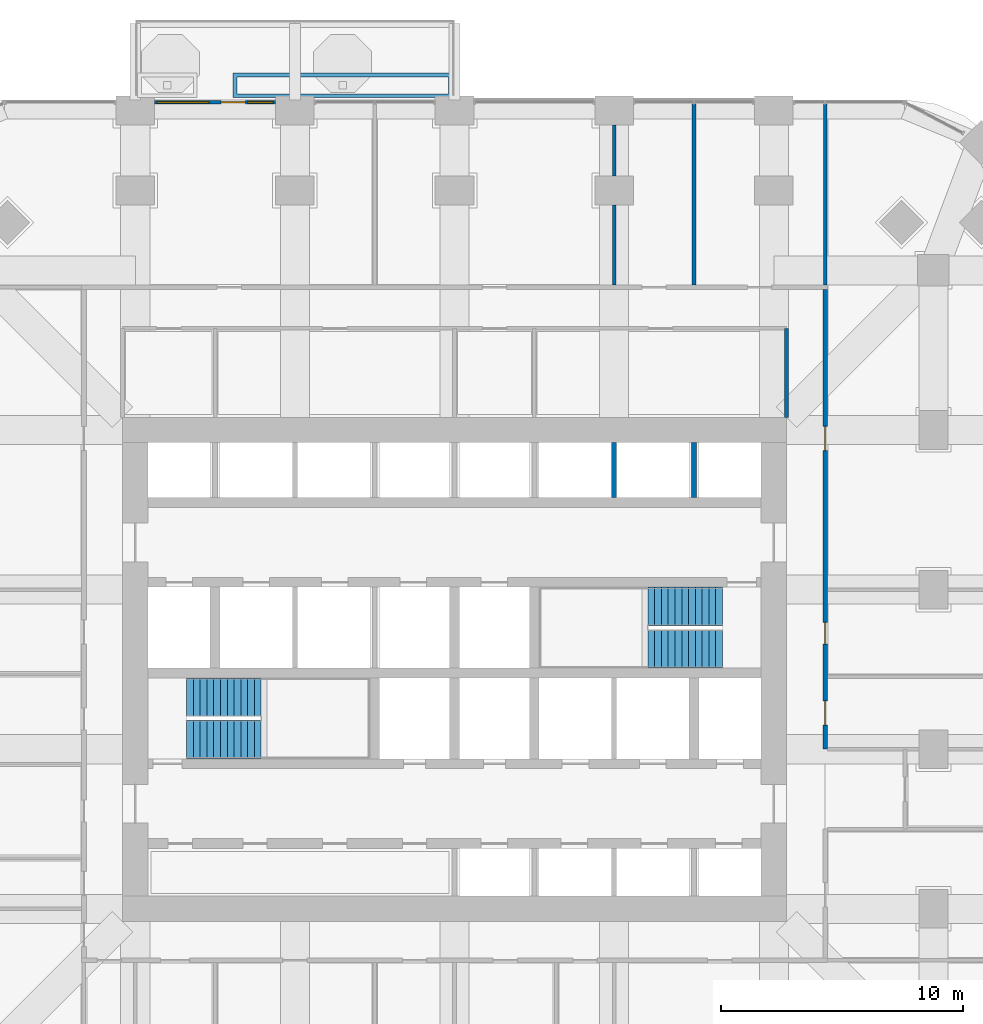
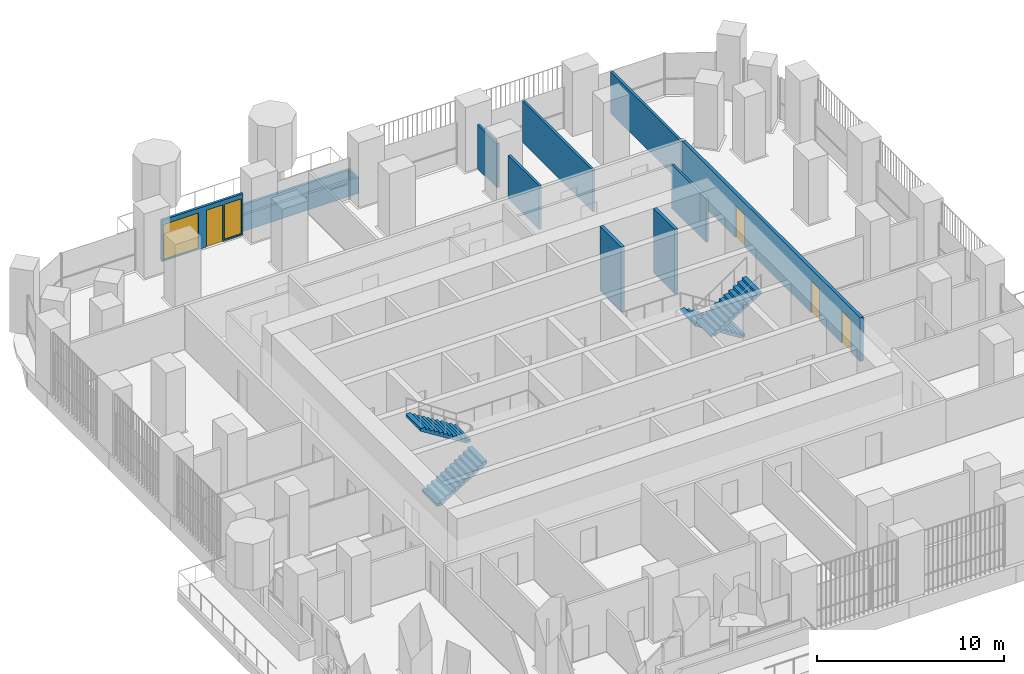
# One storey, part 16 of 21: 10 walls, 4 doors, 4 stair flights, 2 windows, 6 openings, 2 elements without a shape of their own.
"""IFC4 building model written with IfcOpenShell, lengths in metres."""

from ifc_helpers import new_model, si_unit, direction, frame, frame_2d, origin, place, context, subcontext, project, spatial, polyline, rectangle, outline, extrude, material, layer, layer_set, type_object, element, fill, aggregate, save


model = new_model("IFC4")

# Units and contexts
model_context = context("Model", 3, precision=1e-05, world=origin(), true_north=direction((0.0, 1.0)))
body_context = subcontext(model_context, "Body", "Model", "MODEL_VIEW")
ifc_project = project(units=[si_unit("LENGTHUNIT", "METRE"), si_unit("AREAUNIT", "SQUARE_METRE"), si_unit("VOLUMEUNIT", "CUBIC_METRE"), si_unit("PLANEANGLEUNIT", "RADIAN"), si_unit("MASSUNIT", "GRAM", prefix="KILO")], contexts=[model_context])

# Site, building, storey
site_placement = place(None, origin())
site = spatial("IfcSite", under=ifc_project, at=site_placement, CompositionType="ELEMENT")
building_placement = place(site_placement, origin())
building = spatial("IfcBuilding", under=site, at=building_placement, Name="Cobogo Forest Laboratory Tower", CompositionType="ELEMENT")
storey_placement = place(building_placement, frame((0.0, 0.0, 99.0)))
storey = spatial("IfcBuildingStorey", under=building, at=storey_placement, Name="L22", CompositionType="ELEMENT", Elevation=99.0)

# Wall, openings, door, windows
ifc_material_1 = material(Name="Aluminium framed glazed screen", Category="aluminium")
ifc_layer_1 = layer(ifc_material_1, 0.14990234375)
ifc_layer_set_1 = layer_set([ifc_layer_1], Name="GS1 glazed door screen 150")
wall_type_1 = type_object("IfcWallType", Name="GS1 glazed door screen 150", PredefinedType="SOLIDWALL", material=ifc_layer_set_1)
wall_1_placement = place(storey_placement, frame((19.0, 46.550048828125, 0.0), z_axis=(0.0, 0.0, 1.0), x_axis=(-1.0, 0.0, 0.0)))
wall_1 = element("IfcWall", 1, at=wall_1_placement, inside=storey, type_object=wall_type_1, Name="Door screen BAL-N1 L22", PredefinedType="SOLIDWALL", context=body_context, shape_type="SweptSolid", body=[
    extrude(rectangle(XDim=5.0, YDim=0.14990234375, at=frame_2d((2.5, 0.0))), origin(), (0.0, 0.0, 1.0), 2.699951171875),
])
opening_1_placement = place(wall_1_placement, frame((1.25, 0.0, 0.0)))
opening_1 = element("IfcOpeningElement", 2, at=opening_1_placement, cuts=wall_1, Name="Opening L22-D46", PredefinedType="OPENING", context=body_context, shape_type="SweptSolid", body=[
    extrude(rectangle(XDim=1.0, YDim=2.39990234375, at=frame_2d((0.5, 1.199951171875))), frame((0.0, 0.0849609375, 0.0), z_axis=(0.0, -1.0, 0.0), x_axis=(1.0, 0.0, 0.0)), (0.0, 0.0, 1.0), 0.169921875),
])
opening_2_placement = place(wall_1_placement, frame((0.10009765625, 0.0, 0.10009765625)))
opening_2 = element("IfcOpeningElement", 3, at=opening_2_placement, cuts=wall_1, Name="Opening L22-W08", PredefinedType="OPENING", context=body_context, shape_type="SweptSolid", body=[
    extrude(rectangle(XDim=1.050048828125, YDim=2.300048828125, at=frame_2d((0.52490234375, 1.14990234375))), frame((0.0, 0.0849609375, 0.0), z_axis=(0.0, -1.0, 0.0), x_axis=(1.0, 0.0, 0.0)), (0.0, 0.0, 1.0), 0.169921875),
])
opening_3_placement = place(wall_1_placement, frame((2.75, 0.0, 0.10009765625)))
opening_3 = element("IfcOpeningElement", 4, at=opening_3_placement, cuts=wall_1, Name="Opening L22-W07", PredefinedType="OPENING", context=body_context, shape_type="SweptSolid", body=[
    extrude(rectangle(XDim=2.14990234375, YDim=2.300048828125, at=frame_2d((1.074951171875, 1.14990234375))), frame((0.0, 0.0849609375, 0.0), z_axis=(0.0, -1.0, 0.0), x_axis=(1.0, 0.0, 0.0)), (0.0, 0.0, 1.0), 0.169921875),
])
ifc_material_2 = material(Name="Aluminium glazed door", Category="aluminium")
door_type_1 = type_object("IfcDoorType", Name="DB1 balcony door 1000 glazed", OperationType="SINGLE_SWING_LEFT", PredefinedType="DOOR", material=ifc_material_2)
door_1_placement = place(opening_1_placement, origin())
door_1 = element("IfcDoor", 5, at=door_1_placement, inside=storey, type_object=door_type_1, Name="Door L22-BAL-N1", OperationType="SINGLE_SWING_LEFT", OverallHeight=2.39990234375, OverallWidth=1.0, PredefinedType="DOOR", context=body_context, shape_type="SweptSolid", body=[
    extrude(rectangle(XDim=1.0, YDim=2.39990234375, at=frame_2d((0.5, 1.199951171875))), frame((0.0, 0.02490234375, 0.0), z_axis=(0.0, -1.0, 0.0), x_axis=(1.0, 0.0, 0.0)), (0.0, 0.0, 1.0), 0.050048828125),
])
fill(opening_1, door_1)
ifc_material_3 = material(Name="Aluminium framed glazing", Category="aluminium")
window_type_1 = type_object("IfcWindowType", Name="WG13 fixed glazed light 2150x2300", PartitioningType="SINGLE_PANEL", PredefinedType="WINDOW", material=ifc_material_3)
window_1_placement = place(opening_3_placement, origin())
window_1 = element("IfcWindow", 6, at=window_1_placement, inside=storey, type_object=window_type_1, Name="Window L22-BAL-N1-2", OverallHeight=2.300048828125, OverallWidth=2.14990234375, PartitioningType="SINGLE_PANEL", PredefinedType="WINDOW", context=body_context, shape_type="SweptSolid", body=[
    extrude(rectangle(XDim=2.14990234375, YDim=2.300048828125, at=frame_2d((1.074951171875, 1.14990234375))), frame((0.0, 0.030029296875, 0.0), z_axis=(0.0, -1.0, 0.0), x_axis=(1.0, 0.0, 0.0)), (0.0, 0.0, 1.0), 0.06005859375),
])
fill(opening_3, window_1)
window_type_2 = type_object("IfcWindowType", Name="WG14 fixed glazed light 1050x2300", PartitioningType="SINGLE_PANEL", PredefinedType="WINDOW", material=ifc_material_3)
window_2_placement = place(opening_2_placement, origin())
window_2 = element("IfcWindow", 7, at=window_2_placement, inside=storey, type_object=window_type_2, Name="Window L22-BAL-N1-1", OverallHeight=2.300048828125, OverallWidth=1.050048828125, PartitioningType="SINGLE_PANEL", PredefinedType="WINDOW", context=body_context, shape_type="SweptSolid", body=[
    extrude(rectangle(XDim=1.050048828125, YDim=2.300048828125, at=frame_2d((0.52490234375, 1.14990234375))), frame((0.0, 0.030029296875, 0.0), z_axis=(0.0, -1.0, 0.0), x_axis=(1.0, 0.0, 0.0)), (0.0, 0.0, 1.0), 0.06005859375),
])
fill(opening_2, window_2)

# Walls
ifc_material_4 = material(Name="Gypsum board on steel studs", Category="steel")
ifc_layer_2 = layer(ifc_material_4, 0.14990234375)
ifc_layer_set_2 = layer_set([ifc_layer_2], Name="PT1 laboratory partition 150")
wall_type_2 = type_object("IfcWallType", Name="PT1 laboratory partition 150", PredefinedType="PARTITIONING", material=ifc_layer_set_2)
wall_2_placement = place(storey_placement, frame((40.125, 33.52490234375, 0.0), z_axis=(0.0, 0.0, 1.0), x_axis=(0.0, 1.0, 0.0)))
element("IfcWall", 8, at=wall_2_placement, inside=storey, type_object=wall_type_2, Name="Partition CSTRIP-NE L22", PredefinedType="PARTITIONING", context=body_context, shape_type="SweptSolid", body=[
    extrude(rectangle(XDim=3.675048828125, YDim=0.14990234375, at=frame_2d((1.83740234375, 0.0))), origin(), (0.0, 0.0, 1.0), 2.85009765625),
])
wall_3_placement = place(storey_placement, frame((41.72509765625, 46.469970703125, 0.0), z_axis=(0.0, 0.0, 1.0), x_axis=(0.0, -1.0, 0.0)))
element("IfcWall", 9, at=wall_3_placement, inside=storey, type_object=wall_type_2, Name="Partition PW-NE L22", PredefinedType="PARTITIONING", context=body_context, shape_type="SweptSolid", body=[
    extrude(rectangle(XDim=7.469970703125, YDim=0.14990234375, at=frame_2d((3.73486328125, 0.0))), origin(), (0.0, 0.0, 1.0), 2.699951171875),
])
wall_4_placement = place(storey_placement, frame((33.0, 45.60009765625, 0.0), z_axis=(0.0, 0.0, 1.0), x_axis=(0.0, -1.0, 0.0)))
element("IfcWall", 10, at=wall_4_placement, inside=storey, type_object=wall_type_2, Name="Partition CUT-N33-1 L22", PredefinedType="PARTITIONING", context=body_context, shape_type="SweptSolid", body=[
    extrude(rectangle(XDim=2.10009765625, YDim=0.14990234375, at=frame_2d((1.050048828125, 0.0))), origin(), (0.0, 0.0, 1.0), 2.85009765625),
])
wall_5_placement = place(storey_placement, frame((33.0, 42.300048828125, 0.0), z_axis=(0.0, 0.0, 1.0), x_axis=(0.0, -1.0, 0.0)))
element("IfcWall", 11, at=wall_5_placement, inside=storey, type_object=wall_type_2, Name="Partition CUT-N33-2 L22", PredefinedType="PARTITIONING", context=body_context, shape_type="SweptSolid", body=[
    extrude(rectangle(XDim=3.300048828125, YDim=0.14990234375, at=frame_2d((1.64990234375, 0.0))), origin(), (0.0, 0.0, 1.0), 2.85009765625),
])
wall_6_placement = place(storey_placement, frame((36.300048828125, 46.469970703125, 0.0), z_axis=(0.0, 0.0, 1.0), x_axis=(0.0, -1.0, 0.0)))
element("IfcWall", 12, at=wall_6_placement, inside=storey, type_object=wall_type_2, Name="Partition CUT-N36.3-1 L22", PredefinedType="PARTITIONING", context=body_context, shape_type="SweptSolid", body=[
    extrude(rectangle(XDim=7.469970703125, YDim=0.14990234375, at=frame_2d((3.73486328125, 0.0))), origin(), (0.0, 0.0, 1.0), 2.699951171875),
])

# Wall, openings, doors
ifc_layer_3 = layer(ifc_material_4, 0.199951171875)
ifc_layer_set_3 = layer_set([ifc_layer_3], Name="PT2 fire-rated corridor partition 200")
wall_type_3 = type_object("IfcWallType", Name="PT2 fire-rated corridor partition 200", PredefinedType="PARTITIONING", material=ifc_layer_set_3)
wall_7_placement = place(storey_placement, frame((41.72509765625, 19.800048828125, 0.0), z_axis=(0.0, 0.0, 1.0), x_axis=(0.0, 1.0, 0.0)))
wall_7 = element("IfcWall", 13, at=wall_7_placement, inside=storey, type_object=wall_type_3, Name="Partition CORR-E-2 L22", PredefinedType="PARTITIONING", context=body_context, shape_type="SweptSolid", body=[
    extrude(rectangle(XDim=19.0, YDim=0.199951171875, at=frame_2d((9.5, 0.0))), origin(), (0.0, 0.0, 1.0), 2.85009765625),
])
opening_4_placement = place(wall_7_placement, frame((1.0, 0.0, 0.0)))
opening_4 = element("IfcOpeningElement", 14, at=opening_4_placement, cuts=wall_7, Name="Opening L22-D30", PredefinedType="OPENING", context=body_context, shape_type="SweptSolid", body=[
    extrude(rectangle(XDim=1.0, YDim=2.10009765625, at=frame_2d((0.5, 1.050048828125))), frame((0.0, 0.10986328125, 0.0), z_axis=(0.0, -1.0, 0.0), x_axis=(1.0, 0.0, 0.0)), (0.0, 0.0, 1.0), 0.219970703125),
])
opening_5_placement = place(wall_7_placement, frame((4.35009765625, 0.0, 0.0)))
opening_5 = element("IfcOpeningElement", 15, at=opening_5_placement, cuts=wall_7, Name="Opening L22-D31", PredefinedType="OPENING", context=body_context, shape_type="SweptSolid", body=[
    extrude(rectangle(XDim=0.89990234375, YDim=2.10009765625, at=frame_2d((0.449951171875, 1.050048828125))), frame((0.0, 0.10986328125, 0.0), z_axis=(0.0, -1.0, 0.0), x_axis=(1.0, 0.0, 0.0)), (0.0, 0.0, 1.0), 0.219970703125),
])
opening_6_placement = place(wall_7_placement, frame((12.35009765625, 0.0, 0.0)))
opening_6 = element("IfcOpeningElement", 16, at=opening_6_placement, cuts=wall_7, Name="Opening L22-D37", PredefinedType="OPENING", context=body_context, shape_type="SweptSolid", body=[
    extrude(rectangle(XDim=1.0, YDim=2.10009765625, at=frame_2d((0.5, 1.050048828125))), frame((0.0, 0.10986328125, 0.0), z_axis=(0.0, -1.0, 0.0), x_axis=(1.0, 0.0, 0.0)), (0.0, 0.0, 1.0), 0.219970703125),
])
ifc_material_5 = material(Name="Steel fire door", Category="steel")
door_type_2 = type_object("IfcDoorType", Name="FD1 fire door 1000 EI2 60", OperationType="SINGLE_SWING_LEFT", PredefinedType="DOOR", material=ifc_material_5)
door_2_placement = place(opening_4_placement, origin())
door_2 = element("IfcDoor", 17, at=door_2_placement, inside=storey, type_object=door_type_2, Name="Door L22-ELEC", OperationType="SINGLE_SWING_LEFT", OverallHeight=2.10009765625, OverallWidth=1.0, PredefinedType="DOOR", context=body_context, shape_type="SweptSolid", body=[
    extrude(rectangle(XDim=1.0, YDim=2.10009765625, at=frame_2d((0.5, 1.050048828125))), frame((0.0, 0.02490234375, 0.0), z_axis=(0.0, -1.0, 0.0), x_axis=(1.0, 0.0, 0.0)), (0.0, 0.0, 1.0), 0.050048828125),
])
fill(opening_4, door_2)
ifc_material_6 = material(Name="Timber fire door", Category="wood")
door_type_3 = type_object("IfcDoorType", Name="FD2 fire door 1000 EI2 30", OperationType="SINGLE_SWING_LEFT", PredefinedType="DOOR", material=ifc_material_6)
door_3_placement = place(opening_6_placement, origin())
door_3 = element("IfcDoor", 18, at=door_3_placement, inside=storey, type_object=door_type_3, Name="Door L22-E3", OperationType="SINGLE_SWING_RIGHT", OverallHeight=2.10009765625, OverallWidth=1.0, PredefinedType="DOOR", context=body_context, shape_type="SweptSolid", body=[
    extrude(rectangle(XDim=1.0, YDim=2.10009765625, at=frame_2d((0.5, 1.050048828125))), frame((0.0, 0.02490234375, 0.0), z_axis=(0.0, -1.0, 0.0), x_axis=(1.0, 0.0, 0.0)), (0.0, 0.0, 1.0), 0.050048828125),
])
fill(opening_6, door_3)
door_type_4 = type_object("IfcDoorType", Name="FD4 riser access door 900 EI2 60", OperationType="SINGLE_SWING_LEFT", PredefinedType="DOOR", material=ifc_material_5)
door_4_placement = place(opening_5_placement, origin())
door_4 = element("IfcDoor", 19, at=door_4_placement, inside=storey, type_object=door_type_4, Name="Door L22-COMMS", OperationType="SINGLE_SWING_LEFT", OverallHeight=2.10009765625, OverallWidth=0.89990234375, PredefinedType="DOOR", context=body_context, shape_type="SweptSolid", body=[
    extrude(rectangle(XDim=0.89990234375, YDim=2.10009765625, at=frame_2d((0.449951171875, 1.050048828125))), frame((0.0, 0.02490234375, 0.0), z_axis=(0.0, -1.0, 0.0), x_axis=(1.0, 0.0, 0.0)), (0.0, 0.0, 1.0), 0.050048828125),
])
fill(opening_5, door_4)

# Walls
ifc_material_7 = material(Name="Concrete HA-40 (C40/50)", Category="concrete")
ifc_layer_4 = layer(ifc_material_7, 0.14990234375)
ifc_layer_set_4 = layer_set([ifc_layer_4], Name="Planter box 1000x1050")
wall_type_4 = type_object("IfcWallType", Name="Planter box 1000x1050", PredefinedType="USERDEFINED", material=ifc_layer_set_4)
wall_8_placement = place(storey_placement, origin())
element("IfcWall", 20, at=wall_8_placement, inside=storey, type_object=wall_type_4, Name="Planter BAL-N1-2 L22", ObjectType="PLANTER", PredefinedType="USERDEFINED", context=body_context, shape_type="SweptSolid", body=[
    extrude(outline(polyline([(17.25, 46.75), (26.300048828125, 46.75), (26.300048828125, 47.75), (17.25, 47.75), (17.25, 46.75)]), holes=[polyline([(17.39990234375, 46.89990234375), (26.14990234375, 46.89990234375), (26.14990234375, 47.60009765625), (17.39990234375, 47.60009765625), (17.39990234375, 46.89990234375)])]), origin(), (0.0, 0.0, 1.0), 1.050048828125),
])
ifc_material_8 = material(Name="Concrete block", Category="concrete")
ifc_layer_5 = layer(ifc_material_8, 0.199951171875)
ifc_layer_set_5 = layer_set([ifc_layer_5], Name="SW200 lift shaft separator 200")
wall_type_5 = type_object("IfcWallType", Name="SW200 lift shaft separator 200", PredefinedType="PARTITIONING", material=ifc_layer_set_5)
for number, where, z_axis, x_axis, name in (
    (21, (33.0, 30.199951171875, 0.0), (0.0, 0.0, 1.0), (0.0, 1.0, 0.0), "Core wall SEP-N6 L22"),
    (22, (36.300048828125, 30.199951171875, 0.0), (0.0, 0.0, 1.0), (0.0, 1.0, 0.0), "Core wall SEP-N7 L22"),
):
    element("IfcWall", number, at=place(storey_placement, frame(where, z_axis=z_axis, x_axis=x_axis)), inside=storey, type_object=wall_type_5, Name=name, PredefinedType="PARTITIONING", context=body_context, shape_type="SweptSolid", body=[
        extrude(rectangle(XDim=2.275146484375, YDim=0.199951171875, at=frame_2d((1.1376953125, 0.0))), origin(), (0.0, 0.0, 1.0), 4.199951171875),
    ])

# Stair, stair flights
ifc_material_9 = material(Name="Precast concrete HA-40 (C40/50)", Category="concrete")
stair_type = type_object("IfcStairType", Name="ST24 exit stair 24 risers", PredefinedType="HALF_TURN_STAIR", material=ifc_material_9)
stair_1_placement = place(storey_placement, origin())
stair_1 = element("IfcStair", 23, at=stair_1_placement, inside=storey, type_object=stair_type, Name="Stair 1 L22 to L23", PredefinedType="HALF_TURN_STAIR")
stair_flight_type = type_object("IfcStairFlightType", Name="ST stair flight 280 going", PredefinedType="STRAIGHT", material=ifc_material_9)
stair_flight_1_placement = place(storey_placement, frame((15.324951171875, 20.199951171875, 0.0), z_axis=(0.0, 0.0, 1.0), x_axis=(1.0, 0.0, 0.0)))
stair_flight_1 = element("IfcStairFlight", 24, at=stair_flight_1_placement, type_object=stair_flight_type, Name="ST1 flight 1", NumberOfRisers=12, NumberOfTreads=11, PredefinedType="STRAIGHT", RiserHeight=0.175, TreadLength=0.28, context=body_context, shape_type="SweptSolid", body=[
    extrude(outline(polyline([(0.0, 0.0), (0.0, 0.175048828125), (0.280029296875, 0.175048828125), (0.280029296875, 0.35009765625), (0.56005859375, 0.35009765625), (0.56005859375, 0.52490234375), (0.840087890625, 0.52490234375), (0.840087890625, 0.699951171875), (1.1201171875, 0.699951171875), (1.1201171875, 0.875), (1.39990234375, 0.875), (1.39990234375, 1.050048828125), (1.679931640625, 1.050048828125), (1.679931640625, 1.22509765625), (1.9599609375, 1.22509765625), (1.9599609375, 1.39990234375), (2.239990234375, 1.39990234375), (2.239990234375, 1.574951171875), (2.52001953125, 1.574951171875), (2.52001953125, 1.75), (2.800048828125, 1.75), (2.800048828125, 1.925048828125), (3.080078125, 1.925048828125), (3.080078125, 2.10009765625), (3.080078125, 1.748291015625), (0.28271484375, 0.0), (0.0, 0.0)])), frame((0.0, 0.800048828125, 0.0), z_axis=(0.0, -1.0, 0.0), x_axis=(1.0, 0.0, 0.0)), (0.0, 0.0, 1.0), 1.60009765625),
])
stair_flight_2_placement = place(storey_placement, frame((18.405029296875, 21.949951171875, 2.10009765625), z_axis=(0.0, 0.0, 1.0), x_axis=(-1.0, 0.0, 0.0)))
stair_flight_2 = element("IfcStairFlight", 25, at=stair_flight_2_placement, type_object=stair_flight_type, Name="ST1 flight 2", NumberOfRisers=12, NumberOfTreads=11, PredefinedType="STRAIGHT", RiserHeight=0.175, TreadLength=0.28, context=body_context, shape_type="SweptSolid", body=[
    extrude(outline(polyline([(0.0, 0.0), (0.0, 0.175048828125), (0.280029296875, 0.175048828125), (0.280029296875, 0.35009765625), (0.56005859375, 0.35009765625), (0.56005859375, 0.52490234375), (0.840087890625, 0.52490234375), (0.840087890625, 0.699951171875), (1.1201171875, 0.699951171875), (1.1201171875, 0.875), (1.39990234375, 0.875), (1.39990234375, 1.050048828125), (1.679931640625, 1.050048828125), (1.679931640625, 1.22509765625), (1.9599609375, 1.22509765625), (1.9599609375, 1.39990234375), (2.239990234375, 1.39990234375), (2.239990234375, 1.574951171875), (2.52001953125, 1.574951171875), (2.52001953125, 1.75), (2.800048828125, 1.75), (2.800048828125, 1.925048828125), (3.080078125, 1.925048828125), (3.080078125, 2.10009765625), (3.080078125, 1.748291015625), (0.28271484375, 0.0), (0.0, 0.0)])), frame((0.0, 0.800048828125, 0.0), z_axis=(0.0, -1.0, 0.0), x_axis=(1.0, 0.0, 0.0)), (0.0, 0.0, 1.0), 1.60009765625),
])
aggregate(stair_1, [stair_flight_1, stair_flight_2])

stair_2_placement = place(storey_placement, origin())
stair_2 = element("IfcStair", 26, at=stair_2_placement, inside=storey, type_object=stair_type, Name="Stair 2 L22 to L23", PredefinedType="HALF_TURN_STAIR")
stair_flight_3_placement = place(storey_placement, frame((37.47509765625, 25.699951171875, 0.0), z_axis=(0.0, 0.0, 1.0), x_axis=(-1.0, 0.0, 0.0)))
stair_flight_3 = element("IfcStairFlight", 27, at=stair_flight_3_placement, type_object=stair_flight_type, Name="ST2 flight 1", NumberOfRisers=12, NumberOfTreads=11, PredefinedType="STRAIGHT", RiserHeight=0.175, TreadLength=0.28, context=body_context, shape_type="SweptSolid", body=[
    extrude(outline(polyline([(0.0, 0.0), (0.0, 0.175048828125), (0.280029296875, 0.175048828125), (0.280029296875, 0.35009765625), (0.56005859375, 0.35009765625), (0.56005859375, 0.52490234375), (0.840087890625, 0.52490234375), (0.840087890625, 0.699951171875), (1.1201171875, 0.699951171875), (1.1201171875, 0.875), (1.39990234375, 0.875), (1.39990234375, 1.050048828125), (1.679931640625, 1.050048828125), (1.679931640625, 1.22509765625), (1.9599609375, 1.22509765625), (1.9599609375, 1.39990234375), (2.239990234375, 1.39990234375), (2.239990234375, 1.574951171875), (2.52001953125, 1.574951171875), (2.52001953125, 1.75), (2.800048828125, 1.75), (2.800048828125, 1.925048828125), (3.080078125, 1.925048828125), (3.080078125, 2.10009765625), (3.080078125, 1.748291015625), (0.28271484375, 0.0), (0.0, 0.0)])), frame((0.0, 0.800048828125, 0.0), z_axis=(0.0, -1.0, 0.0), x_axis=(1.0, 0.0, 0.0)), (0.0, 0.0, 1.0), 1.60009765625),
])
stair_flight_4_placement = place(storey_placement, frame((34.39501953125, 23.949951171875, 2.10009765625), z_axis=(0.0, 0.0, 1.0), x_axis=(1.0, 0.0, 0.0)))
stair_flight_4 = element("IfcStairFlight", 28, at=stair_flight_4_placement, type_object=stair_flight_type, Name="ST2 flight 2", NumberOfRisers=12, NumberOfTreads=11, PredefinedType="STRAIGHT", RiserHeight=0.175, TreadLength=0.28, context=body_context, shape_type="SweptSolid", body=[
    extrude(outline(polyline([(0.0, 0.0), (0.0, 0.175048828125), (0.280029296875, 0.175048828125), (0.280029296875, 0.35009765625), (0.56005859375, 0.35009765625), (0.56005859375, 0.52490234375), (0.840087890625, 0.52490234375), (0.840087890625, 0.699951171875), (1.1201171875, 0.699951171875), (1.1201171875, 0.875), (1.39990234375, 0.875), (1.39990234375, 1.050048828125), (1.679931640625, 1.050048828125), (1.679931640625, 1.22509765625), (1.9599609375, 1.22509765625), (1.9599609375, 1.39990234375), (2.239990234375, 1.39990234375), (2.239990234375, 1.574951171875), (2.52001953125, 1.574951171875), (2.52001953125, 1.75), (2.800048828125, 1.75), (2.800048828125, 1.925048828125), (3.080078125, 1.925048828125), (3.080078125, 2.10009765625), (3.080078125, 1.748291015625), (0.28271484375, 0.0), (0.0, 0.0)])), frame((0.0, 0.800048828125, 0.0), z_axis=(0.0, -1.0, 0.0), x_axis=(1.0, 0.0, 0.0)), (0.0, 0.0, 1.0), 1.60009765625),
])
aggregate(stair_2, [stair_flight_3, stair_flight_4])

save(model, "model.ifc")
